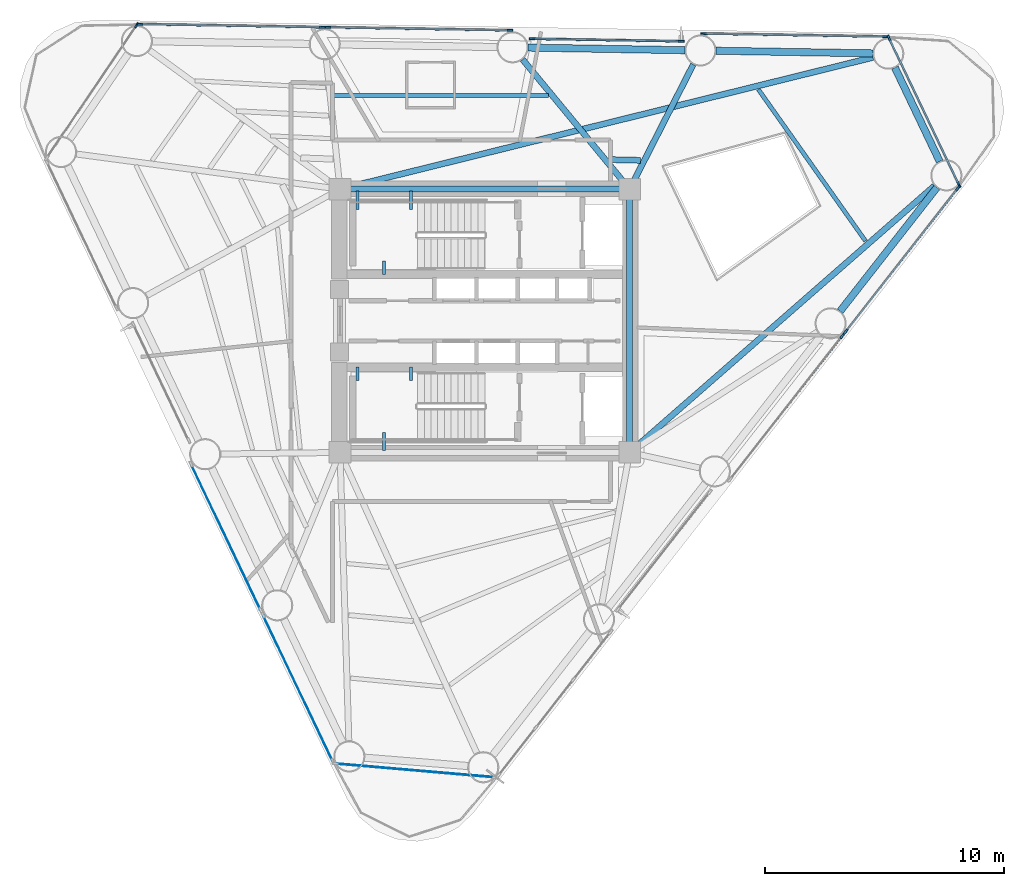
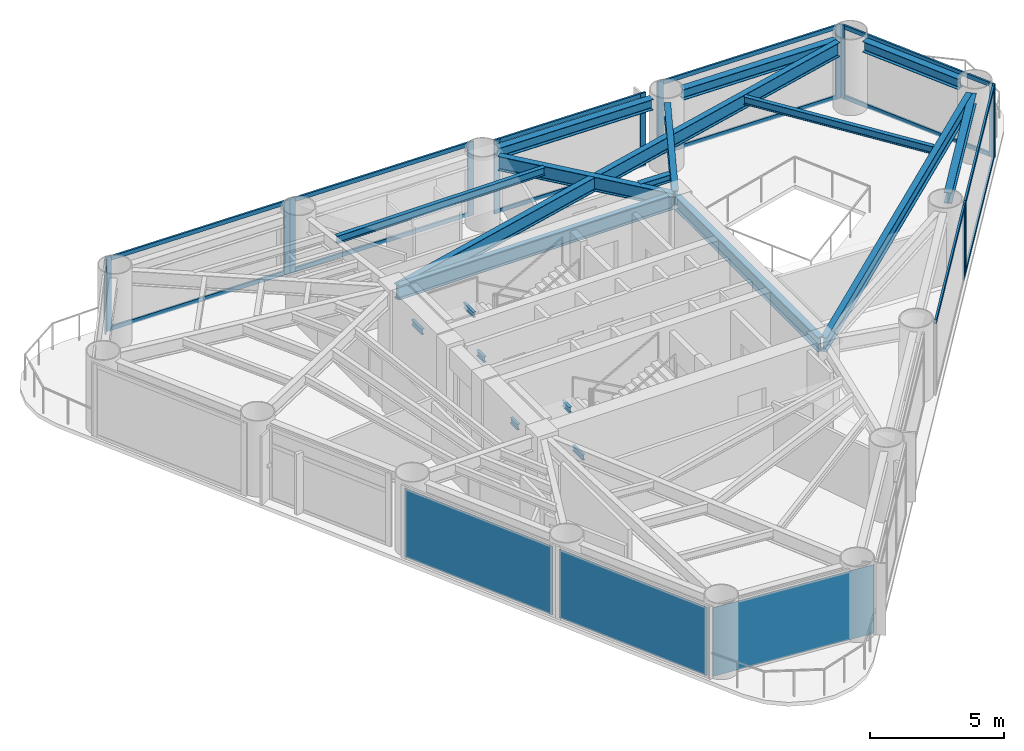
# One storey, part 4 of 10: 28 members, 19 beams, 3 plates, 11 elements without a shape of their own.
"""IFC4 building model written with IfcOpenShell, lengths in metres."""

from ifc_helpers import new_model, si_unit, direction, frame, origin, origin_2d, place, context, subcontext, project, spatial, rectangle, i_section, extrude, source, transform, mapped, material, layer, layer_set, material_profile, profile_set, type_object, element, aggregate, save


model = new_model("IFC4")

# Units and contexts
model_context = context("Model", 3, precision=1e-05, world=origin(), true_north=direction((0.0, 1.0)))
body_context = subcontext(model_context, "Body", "Model", "MODEL_VIEW")
ifc_project = project(units=[si_unit("LENGTHUNIT", "METRE"), si_unit("AREAUNIT", "SQUARE_METRE"), si_unit("VOLUMEUNIT", "CUBIC_METRE"), si_unit("PLANEANGLEUNIT", "RADIAN"), si_unit("MASSUNIT", "GRAM", prefix="KILO")], contexts=[model_context])

# Site, building, storey
site_placement = place(None, origin())
site = spatial("IfcSite", under=ifc_project, at=site_placement, CompositionType="ELEMENT")
building_placement = place(site_placement, origin())
building = spatial("IfcBuilding", under=site, at=building_placement, Name="Yunling Apex Tower", CompositionType="ELEMENT")
storey_placement = place(building_placement, frame((0.0, 0.0, 129.5)))
storey = spatial("IfcBuildingStorey", under=building, at=storey_placement, Name="L31", CompositionType="ELEMENT", Elevation=129.5)

# Beams
ifc_material_1 = material(Name="Steel Q355B", Category="steel")
ifc_material_profile_1 = material_profile(ifc_material_1, i_section(OverallWidth=0.125, OverallDepth=0.25, WebThickness=0.006103515625, FlangeThickness=0.009033203125, FilletRadius=0.011962890625, at=origin_2d()))
ifc_profile_set_1 = profile_set([ifc_material_profile_1], Name="Steel Q355B")
beam_type_1 = type_object("IfcBeamType", Name="BL-LNT-1", PredefinedType="LINTEL", material=ifc_profile_set_1)
shared_shape_1 = source(origin(), body_context, "Body", "SweptSolid", [
    extrude(i_section(OverallWidth=0.125, OverallDepth=0.25, WebThickness=0.006103515625, FlangeThickness=0.009033203125, FilletRadius=0.011962890625, at=origin_2d()), origin(), (0.0, 0.0, 1.0), 0.760009765625),
])
for number, where, z_axis, x_axis, name in (
    (1, (-5.320068359375, 5.419921875, 1.405029296875), (0.0, -1.0, 0.0), (1.0, 0.0, 0.0), "L31 ST-1 Landing Bearing Corbel 1-1"),
    (2, (-3.090087890625, 5.419921875, 1.405029296875), (0.0, -1.0, 0.0), (1.0, 0.0, 0.0), "L31 ST-1 Landing Bearing Corbel 1-2"),
    (3, (-4.205078125, -5.419921875, 1.405029296875), (0.0, 1.0, 0.0), (-1.0, 0.0, 0.0), "L31 ST-2 Landing Bearing Corbel 1-3"),
):
    element("IfcBeam", number, at=place(storey_placement, frame(where, z_axis=z_axis, x_axis=x_axis)), inside=storey, type_object=beam_type_1, Name=name, PredefinedType="LINTEL", context=body_context, shape_type="MappedRepresentation", body=[
        mapped(shared_shape_1, transform((0.0, 0.0, 0.0), scale=1.0)),
    ])
shared_shape_2 = source(origin(), body_context, "Body", "SweptSolid", [
    extrude(i_section(OverallWidth=0.125, OverallDepth=0.25, WebThickness=0.006103515625, FlangeThickness=0.009033203125, FilletRadius=0.011962890625, at=origin_2d()), origin(), (0.0, 0.0, 1.0), 0.550048828125),
])
for number, where, z_axis, x_axis, name in (
    (4, (-4.205078125, 1.93994140625, 1.405029296875), (0.0, 1.0, 0.0), (-1.0, 0.0, 0.0), "L31 ST-1 Landing Bearing Corbel 1-3"),
    (5, (-5.320068359375, -1.93994140625, 1.405029296875), (0.0, -1.0, 0.0), (1.0, 0.0, 0.0), "L31 ST-2 Landing Bearing Corbel 1-1"),
    (6, (-3.090087890625, -1.93994140625, 1.405029296875), (0.0, -1.0, 0.0), (1.0, 0.0, 0.0), "L31 ST-2 Landing Bearing Corbel 1-2"),
):
    element("IfcBeam", number, at=place(storey_placement, frame(where, z_axis=z_axis, x_axis=x_axis)), inside=storey, type_object=beam_type_1, Name=name, PredefinedType="LINTEL", context=body_context, shape_type="MappedRepresentation", body=[
        mapped(shared_shape_2, transform((0.0, 0.0, 0.0), scale=1.0)),
    ])
ifc_material_profile_2 = material_profile(ifc_material_1, i_section(OverallWidth=0.25, OverallDepth=0.64990234375, WebThickness=0.011962890625, FlangeThickness=0.02001953125, FilletRadius=0.02392578125, at=origin_2d()))
ifc_profile_set_2 = profile_set([ifc_material_profile_2], Name="Steel Q355B")
beam_type_2 = type_object("IfcBeamType", Name="BG-PRI-4", PredefinedType="USERDEFINED", material=ifc_profile_set_2)
shared_shape_3 = source(origin(), body_context, "Body", "SweptSolid", [
    extrude(i_section(OverallWidth=0.25, OverallDepth=0.64990234375, WebThickness=0.011962890625, FlangeThickness=0.02001953125, FilletRadius=0.02392578125, at=origin_2d()), origin(), (0.0, 0.0, 1.0), 11.7998046875),
])
beam_1_placement = place(storey_placement, frame((5.89990234375, 5.5, 2.945068359375), z_axis=(-1.0, 0.0, 0.0), x_axis=(0.0, -1.0, 0.0)))
element("IfcBeam", 7, at=beam_1_placement, inside=storey, type_object=beam_type_2, Name="L31 Core Ring Tie Beam 3", ObjectType="GIRDER", PredefinedType="USERDEFINED", context=body_context, shape_type="MappedRepresentation", body=[
    mapped(shared_shape_3, transform((0.0, 0.0, 0.0), scale=1.0)),
])
shared_shape_4 = source(origin(), body_context, "Body", "SweptSolid", [
    extrude(i_section(OverallWidth=0.25, OverallDepth=0.64990234375, WebThickness=0.011962890625, FlangeThickness=0.02001953125, FilletRadius=0.02392578125, at=origin_2d()), origin(), (0.0, 0.0, 1.0), 10.7001953125),
])
beam_2_placement = place(storey_placement, frame((6.050048828125, -5.35009765625, 2.945068359375), z_axis=(0.0, 1.0, 0.0), x_axis=(-1.0, 0.0, 0.0)))
element("IfcBeam", 8, at=beam_2_placement, inside=storey, type_object=beam_type_2, Name="L31 Core Ring Tie Beam 2", ObjectType="GIRDER", PredefinedType="USERDEFINED", context=body_context, shape_type="MappedRepresentation", body=[
    mapped(shared_shape_4, transform((0.0, 0.0, 0.0), scale=1.0)),
])
ifc_material_profile_3 = material_profile(ifc_material_1, i_section(OverallWidth=0.300048828125, OverallDepth=0.489990234375, WebThickness=0.010986328125, FlangeThickness=0.01806640625, FilletRadius=0.02197265625, at=origin_2d()))
ifc_profile_set_3 = profile_set([ifc_material_profile_3], Name="Steel Q355B")
beam_type_3 = type_object("IfcBeamType", Name="BP-SPN-2", PredefinedType="SPANDREL", material=ifc_profile_set_3)
shared_shape_5 = source(origin(), body_context, "Body", "SweptSolid", [
    extrude(i_section(OverallWidth=0.300048828125, OverallDepth=0.489990234375, WebThickness=0.010986328125, FlangeThickness=0.01806640625, FilletRadius=0.02197265625, at=origin_2d()), origin(), (0.0, 0.0, 1.0), 6.562255859375),
])
for number, where, z_axis, x_axis, name in (
    (9, (14.8447265625, 0.400390625, 3.02490234375), (0.616196907529, 0.787592135024, 0.0), (-0.787592135024, 0.616196907529, 0.0), "L31 Perimeter Spandrel Beam 4"),
    (10, (16.214599609375, 11.174560546875, 3.02490234375), (-0.999859845587, 0.016741839275, 0.0), (-0.016741839275, -0.999859845587, 0.0), "L31 Perimeter Spandrel Beam 6"),
):
    element("IfcBeam", number, at=place(storey_placement, frame(where, z_axis=z_axis, x_axis=x_axis)), inside=storey, type_object=beam_type_3, Name=name, PredefinedType="SPANDREL", context=body_context, shape_type="MappedRepresentation", body=[
        mapped(shared_shape_5, transform((0.0, 0.0, 0.0), scale=1.0)),
    ])
shared_shape_6 = source(origin(), body_context, "Body", "SweptSolid", [
    extrude(i_section(OverallWidth=0.300048828125, OverallDepth=0.489990234375, WebThickness=0.010986328125, FlangeThickness=0.01806640625, FilletRadius=0.02197265625, at=origin_2d()), origin(), (0.0, 0.0, 1.0), 6.56201171875),
])
beam_3_placement = place(storey_placement, frame((8.365478515625, 11.305908203125, 3.02490234375), z_axis=(-0.999859211643, 0.016779657083, 0.0), x_axis=(-0.016779657083, -0.999859211643, 0.0)))
element("IfcBeam", 11, at=beam_3_placement, inside=storey, type_object=beam_type_3, Name="L31 Perimeter Spandrel Beam 7", PredefinedType="SPANDREL", context=body_context, shape_type="MappedRepresentation", body=[
    mapped(shared_shape_6, transform((0.0, 0.0, 0.0), scale=1.0)),
])
shared_shape_7 = source(origin(), body_context, "Body", "SweptSolid", [
    extrude(i_section(OverallWidth=0.300048828125, OverallDepth=0.489990234375, WebThickness=0.010986328125, FlangeThickness=0.01806640625, FilletRadius=0.02197265625, at=origin_2d()), origin(), (0.0, 0.0, 1.0), 4.348876953125),
])
beam_4_placement = place(storey_placement, frame((19.0078125, 6.6572265625, 3.02490234375), z_axis=(-0.430473932145, 0.902603010046, 0.0), x_axis=(-0.902603010046, -0.430473932145, 0.0)))
element("IfcBeam", 12, at=beam_4_placement, inside=storey, type_object=beam_type_3, Name="L31 Perimeter Spandrel Beam 5", PredefinedType="SPANDREL", context=body_context, shape_type="MappedRepresentation", body=[
    mapped(shared_shape_7, transform((0.0, 0.0, 0.0), scale=1.0)),
])
shared_shape_8 = source(origin(), body_context, "Body", "SweptSolid", [
    extrude(i_section(OverallWidth=0.25, OverallDepth=0.64990234375, WebThickness=0.011962890625, FlangeThickness=0.02001953125, FilletRadius=0.02392578125, at=origin_2d()), origin(), (0.0, 0.0, 1.0), 16.84521484375),
])
beam_5_placement = place(storey_placement, frame((18.789794921875, 5.642822265625, 2.945068359375), z_axis=(-0.75271314446, -0.658348632684, 0.0), x_axis=(0.658348632684, -0.75271314446, 0.0)))
element("IfcBeam", 13, at=beam_5_placement, inside=storey, type_object=beam_type_2, Name="L31 Radial Primary Girder R05", ObjectType="GIRDER", PredefinedType="USERDEFINED", context=body_context, shape_type="MappedRepresentation", body=[
    mapped(shared_shape_8, transform((0.0, 0.0, 0.0), scale=1.0)),
])
shared_shape_9 = source(origin(), body_context, "Body", "SweptSolid", [
    extrude(i_section(OverallWidth=0.25, OverallDepth=0.64990234375, WebThickness=0.011962890625, FlangeThickness=0.02001953125, FilletRadius=0.02392578125, at=origin_2d()), origin(), (0.0, 0.0, 1.0), 22.860107421875),
])
beam_6_placement = place(storey_placement, frame((16.219482421875, 11.005859375, 2.945068359375), z_axis=(-0.970771198537, -0.240006833426, 0.0), x_axis=(0.240006833426, -0.970771198537, 0.0)))
element("IfcBeam", 14, at=beam_6_placement, inside=storey, type_object=beam_type_2, Name="L31 Radial Primary Girder R06", ObjectType="GIRDER", PredefinedType="USERDEFINED", context=body_context, shape_type="MappedRepresentation", body=[
    mapped(shared_shape_9, transform((0.0, 0.0, 0.0), scale=1.0)),
])
shared_shape_10 = source(origin(), body_context, "Body", "SweptSolid", [
    extrude(i_section(OverallWidth=0.25, OverallDepth=0.64990234375, WebThickness=0.011962890625, FlangeThickness=0.02001953125, FilletRadius=0.02392578125, at=origin_2d()), origin(), (0.0, 0.0, 1.0), 5.76904296875),
])
beam_7_placement = place(storey_placement, frame((8.710205078125, 10.709228515625, 2.945068359375), z_axis=(-0.454797867462, -0.890594688819, 0.0), x_axis=(0.890594688819, -0.454797867462, 0.0)))
element("IfcBeam", 15, at=beam_7_placement, inside=storey, type_object=beam_type_2, Name="L31 Radial Primary Girder R07", ObjectType="GIRDER", PredefinedType="USERDEFINED", context=body_context, shape_type="MappedRepresentation", body=[
    mapped(shared_shape_10, transform((0.0, 0.0, 0.0), scale=1.0)),
])
shared_shape_11 = source(origin(), body_context, "Body", "SweptSolid", [
    extrude(i_section(OverallWidth=0.25, OverallDepth=0.64990234375, WebThickness=0.011962890625, FlangeThickness=0.02001953125, FilletRadius=0.02392578125, at=origin_2d()), origin(), (0.0, 0.0, 1.0), 6.9453125),
])
beam_8_placement = place(storey_placement, frame((1.5791015625, 10.919189453125, 2.945068359375), z_axis=(0.636387137961, -0.771369827409, 0.0), x_axis=(0.771369827409, 0.636387137961, 0.0)))
element("IfcBeam", 16, at=beam_8_placement, inside=storey, type_object=beam_type_2, Name="L31 Radial Primary Girder R08", ObjectType="GIRDER", PredefinedType="USERDEFINED", context=body_context, shape_type="MappedRepresentation", body=[
    mapped(shared_shape_11, transform((0.0, 0.0, 0.0), scale=1.0)),
])
ifc_material_profile_4 = material_profile(ifc_material_1, i_section(OverallWidth=0.175048828125, OverallDepth=0.35009765625, WebThickness=0.007080078125, FlangeThickness=0.010986328125, FilletRadius=0.013916015625, at=origin_2d()))
ifc_profile_set_4 = profile_set([ifc_material_profile_4], Name="Steel Q355B")
beam_type_4 = type_object("IfcBeamType", Name="BJ-JST-1", PredefinedType="JOIST", material=ifc_profile_set_4)
shared_shape_12 = source(origin(), body_context, "Body", "SweptSolid", [
    extrude(i_section(OverallWidth=0.175048828125, OverallDepth=0.35009765625, WebThickness=0.007080078125, FlangeThickness=0.010986328125, FilletRadius=0.013916015625, at=origin_2d()), origin(), (0.0, 0.0, 1.0), 7.7578125),
])
beam_9_placement = place(storey_placement, frame((15.907958984375, 3.33349609375, 3.094970703125), z_axis=(-0.577260058065, 0.816560362351, 0.0), x_axis=(-0.816560362351, -0.577260058065, 0.0)))
element("IfcBeam", 17, at=beam_9_placement, inside=storey, type_object=beam_type_4, Name="L31 Composite Floor Joist BJ1-5", PredefinedType="JOIST", context=body_context, shape_type="MappedRepresentation", body=[
    mapped(shared_shape_12, transform((0.0, 0.0, 0.0), scale=1.0)),
])
ifc_material_profile_5 = material_profile(ifc_material_1, i_section(OverallWidth=0.25, OverallDepth=0.340087890625, WebThickness=0.009033203125, FlangeThickness=0.013916015625, FilletRadius=0.01806640625, at=origin_2d()))
ifc_profile_set_5 = profile_set([ifc_material_profile_5], Name="Steel Q355B")
beam_type_5 = type_object("IfcBeamType", Name="BJ-JST-2", PredefinedType="JOIST", material=ifc_profile_set_5)
shared_shape_13 = source(origin(), body_context, "Body", "SweptSolid", [
    extrude(i_section(OverallWidth=0.25, OverallDepth=0.340087890625, WebThickness=0.009033203125, FlangeThickness=0.013916015625, FilletRadius=0.01806640625, at=origin_2d()), origin(), (0.0, 0.0, 1.0), 1.3173828125),
])
beam_10_placement = place(storey_placement, frame((6.503662109375, 6.705322265625, 3.10009765625), z_axis=(-0.999718560735, 0.023723391875, 0.0), x_axis=(-0.023723391875, -0.999718560735, 0.0)))
element("IfcBeam", 18, at=beam_10_placement, inside=storey, type_object=beam_type_5, Name="L31 Composite Floor Joist BJ2-7", PredefinedType="JOIST", context=body_context, shape_type="MappedRepresentation", body=[
    mapped(shared_shape_13, transform((0.0, 0.0, 0.0), scale=1.0)),
])
shared_shape_14 = source(origin(), body_context, "Body", "SweptSolid", [
    extrude(i_section(OverallWidth=0.175048828125, OverallDepth=0.35009765625, WebThickness=0.007080078125, FlangeThickness=0.010986328125, FilletRadius=0.013916015625, at=origin_2d()), origin(), (0.0, 0.0, 1.0), 8.959228515625),
])
beam_11_placement = place(storey_placement, frame((2.65673828125, 9.4189453125, 3.094970703125), z_axis=(-0.99999980359, -0.000626754107, 0.0), x_axis=(0.000626754107, -0.99999980359, 0.0)))
element("IfcBeam", 19, at=beam_11_placement, inside=storey, type_object=beam_type_4, Name="L31 Composite Floor Joist BJ1-8", PredefinedType="JOIST", context=body_context, shape_type="MappedRepresentation", body=[
    mapped(shared_shape_14, transform((0.0, 0.0, 0.0), scale=1.0)),
])

# Curtain wall, member
ifc_material_2 = material(Name="Bronze anodised aluminium", Category="aluminium")
ifc_layer_1 = layer(ifc_material_2, 0.239990234375)
ifc_layer_set_1 = layer_set([ifc_layer_1], Name="Bronze anodised aluminium")
curtain_wall_type = type_object("IfcCurtainWallType", Name="CW-SYS-3", PredefinedType="NOTDEFINED", material=ifc_layer_set_1)
curtain_wall_1_placement = place(storey_placement, origin())
curtain_wall_1 = element("IfcCurtainWall", 20, at=curtain_wall_1_placement, inside=storey, type_object=curtain_wall_type, Name="CW-L31-F1-B3", PredefinedType="NOTDEFINED")
ifc_material_profile_6 = material_profile(ifc_material_2, rectangle(XDim=0.080078125, YDim=0.239990234375, at=origin_2d()))
ifc_profile_set_6 = profile_set([ifc_material_profile_6], Name="Bronze anodised aluminium")
member_type_1 = type_object("IfcMemberType", Name="CW-MUL-3", PredefinedType="MULLION", material=ifc_profile_set_6)
shared_shape_15 = source(origin(), body_context, "Body", "SweptSolid", [
    extrude(rectangle(XDim=0.080078125, YDim=0.239990234375, at=origin_2d()), origin(), (0.0, 0.0, 1.0), 3.3701171875),
])
member_1_placement = place(storey_placement, frame((14.93310546875, -0.638671875, -0.050048828125), z_axis=(0.0, 0.0, 1.0), x_axis=(-0.787583748686, 0.616207626377, 0.0)))
member_1 = element("IfcMember", 21, at=member_1_placement, type_object=member_type_1, Name="CW-SYS-3 mullion 2", PredefinedType="MULLION", context=body_context, shape_type="MappedRepresentation", body=[
    mapped(shared_shape_15, transform((0.0, 0.0, 0.0), scale=1.0)),
])

# Curtain wall, members
curtain_wall_2_placement = place(storey_placement, origin())
curtain_wall_2 = element("IfcCurtainWall", 22, at=curtain_wall_2_placement, inside=storey, type_object=curtain_wall_type, Name="CW-L31-F1-B4", PredefinedType="NOTDEFINED")
member_2_placement = place(storey_placement, frame((15.0810546875, -0.44970703125, -0.050048828125), z_axis=(0.0, 0.0, 1.0), x_axis=(-0.787583748686, 0.616207626377, 0.0)))
member_2 = element("IfcMember", 23, at=member_2_placement, type_object=member_type_1, Name="CW-SYS-3 mullion 1", PredefinedType="MULLION", context=body_context, shape_type="MappedRepresentation", body=[
    mapped(shared_shape_15, transform((0.0, 0.0, 0.0), scale=1.0)),
])
member_3_placement = place(storey_placement, frame((19.770263671875, 5.5439453125, -0.050048828125), z_axis=(0.0, 0.0, 1.0), x_axis=(-0.787583748686, 0.616207626377, 0.0)))
member_3 = element("IfcMember", 24, at=member_3_placement, type_object=member_type_1, Name="CW-SYS-3 mullion 2", PredefinedType="MULLION", context=body_context, shape_type="MappedRepresentation", body=[
    mapped(shared_shape_15, transform((0.0, 0.0, 0.0), scale=1.0)),
])

curtain_wall_3_placement = place(storey_placement, origin())
curtain_wall_3 = element("IfcCurtainWall", 25, at=curtain_wall_3_placement, inside=storey, type_object=curtain_wall_type, Name="CW-L31-CRN1", PredefinedType="NOTDEFINED")
member_4_placement = place(storey_placement, frame((19.811279296875, 5.68701171875, -0.050048828125), z_axis=(0.0, 0.0, 1.0), x_axis=(-0.902581673296, -0.430518667458, 0.0)))
member_4 = element("IfcMember", 26, at=member_4_placement, type_object=member_type_1, Name="CW-SYS-3 mullion 1", PredefinedType="MULLION", context=body_context, shape_type="MappedRepresentation", body=[
    mapped(shared_shape_15, transform((0.0, 0.0, 0.0), scale=1.0)),
])
member_5_placement = place(storey_placement, frame((16.88720703125, 11.8173828125, -0.050048828125), z_axis=(0.0, 0.0, 1.0), x_axis=(-0.902581673296, -0.430518667458, 0.0)))
member_5 = element("IfcMember", 27, at=member_5_placement, type_object=member_type_1, Name="CW-SYS-3 mullion 2", PredefinedType="MULLION", context=body_context, shape_type="MappedRepresentation", body=[
    mapped(shared_shape_15, transform((0.0, 0.0, 0.0), scale=1.0)),
])

curtain_wall_4_placement = place(storey_placement, origin())
curtain_wall_4 = element("IfcCurtainWall", 28, at=curtain_wall_4_placement, inside=storey, type_object=curtain_wall_type, Name="CW-L31-F2-B1", PredefinedType="NOTDEFINED")
member_6_placement = place(storey_placement, frame((16.75048828125, 11.87548828125, -0.050048828125), z_axis=(0.0, 0.0, 1.0), x_axis=(-0.016761635477, -0.99985951392, 0.0)))
member_6 = element("IfcMember", 29, at=member_6_placement, type_object=member_type_1, Name="CW-SYS-3 mullion 1", PredefinedType="MULLION", context=body_context, shape_type="MappedRepresentation", body=[
    mapped(shared_shape_15, transform((0.0, 0.0, 0.0), scale=1.0)),
])
member_7_placement = place(storey_placement, frame((9.141357421875, 12.003173828125, -0.050048828125), z_axis=(0.0, 0.0, 1.0), x_axis=(-0.016761635477, -0.99985951392, 0.0)))
member_7 = element("IfcMember", 30, at=member_7_placement, type_object=member_type_1, Name="CW-SYS-3 mullion 2", PredefinedType="MULLION", context=body_context, shape_type="MappedRepresentation", body=[
    mapped(shared_shape_15, transform((0.0, 0.0, 0.0), scale=1.0)),
])

curtain_wall_5_placement = place(storey_placement, origin())
curtain_wall_5 = element("IfcCurtainWall", 31, at=curtain_wall_5_placement, inside=storey, type_object=curtain_wall_type, Name="CW-L31-F2-B2", PredefinedType="NOTDEFINED")
member_8_placement = place(storey_placement, frame((8.205810546875, 11.6787109375, -0.050048828125), z_axis=(0.0, 0.0, 1.0), x_axis=(-0.016766539529, -0.999859431696, 0.0)))
member_8 = element("IfcMember", 32, at=member_8_placement, type_object=member_type_1, Name="CW-SYS-3 mullion 1", PredefinedType="MULLION", context=body_context, shape_type="MappedRepresentation", body=[
    mapped(shared_shape_15, transform((0.0, 0.0, 0.0), scale=1.0)),
])
member_9_placement = place(storey_placement, frame((1.9765625, 11.783203125, -0.050048828125), z_axis=(0.0, 0.0, 1.0), x_axis=(-0.016766539529, -0.999859431696, 0.0)))
member_9 = element("IfcMember", 33, at=member_9_placement, type_object=member_type_1, Name="CW-SYS-3 mullion 2", PredefinedType="MULLION", context=body_context, shape_type="MappedRepresentation", body=[
    mapped(shared_shape_15, transform((0.0, 0.0, 0.0), scale=1.0)),
])

curtain_wall_6_placement = place(storey_placement, origin())
curtain_wall_6 = element("IfcCurtainWall", 34, at=curtain_wall_6_placement, inside=storey, type_object=curtain_wall_type, Name="CW-L31-F2-B3", PredefinedType="NOTDEFINED")
member_10_placement = place(storey_placement, frame((1.052490234375, 12.138671875, -0.050048828125), z_axis=(0.0, 0.0, 1.0), x_axis=(-0.016761635477, -0.99985951392, 0.0)))
member_10 = element("IfcMember", 35, at=member_10_placement, type_object=member_type_1, Name="CW-SYS-3 mullion 1", PredefinedType="MULLION", context=body_context, shape_type="MappedRepresentation", body=[
    mapped(shared_shape_15, transform((0.0, 0.0, 0.0), scale=1.0)),
])
member_11_placement = place(storey_placement, frame((-6.556640625, 12.266357421875, -0.050048828125), z_axis=(0.0, 0.0, 1.0), x_axis=(-0.016761635477, -0.99985951392, 0.0)))
member_11 = element("IfcMember", 36, at=member_11_placement, type_object=member_type_1, Name="CW-SYS-3 mullion 2", PredefinedType="MULLION", context=body_context, shape_type="MappedRepresentation", body=[
    mapped(shared_shape_15, transform((0.0, 0.0, 0.0), scale=1.0)),
])

curtain_wall_7_placement = place(storey_placement, origin())
curtain_wall_7 = element("IfcCurtainWall", 37, at=curtain_wall_7_placement, inside=storey, type_object=curtain_wall_type, Name="CW-L31-F2-B4", PredefinedType="NOTDEFINED")
member_12_placement = place(storey_placement, frame((-6.796630859375, 12.270263671875, -0.050048828125), z_axis=(0.0, 0.0, 1.0), x_axis=(-0.016761635477, -0.99985951392, 0.0)))
member_12 = element("IfcMember", 38, at=member_12_placement, type_object=member_type_1, Name="CW-SYS-3 mullion 1", PredefinedType="MULLION", context=body_context, shape_type="MappedRepresentation", body=[
    mapped(shared_shape_15, transform((0.0, 0.0, 0.0), scale=1.0)),
])
member_13_placement = place(storey_placement, frame((-14.40576171875, 12.39794921875, -0.050048828125), z_axis=(0.0, 0.0, 1.0), x_axis=(-0.016761635477, -0.99985951392, 0.0)))
member_13 = element("IfcMember", 39, at=member_13_placement, type_object=member_type_1, Name="CW-SYS-3 mullion 2", PredefinedType="MULLION", context=body_context, shape_type="MappedRepresentation", body=[
    mapped(shared_shape_15, transform((0.0, 0.0, 0.0), scale=1.0)),
])

# Curtain wall, member
curtain_wall_8_placement = place(storey_placement, origin())
curtain_wall_8 = element("IfcCurtainWall", 40, at=curtain_wall_8_placement, inside=storey, type_object=curtain_wall_type, Name="CW-L31-CRN2", PredefinedType="NOTDEFINED")
member_14_placement = place(storey_placement, frame((-14.54833984375, 12.3466796875, -0.050048828125), z_axis=(0.0, 0.0, 1.0), x_axis=(0.82813882115, -0.560523052964, 0.0)))
member_14 = element("IfcMember", 41, at=member_14_placement, type_object=member_type_1, Name="CW-SYS-3 mullion 1", PredefinedType="MULLION", context=body_context, shape_type="MappedRepresentation", body=[
    mapped(shared_shape_15, transform((0.0, 0.0, 0.0), scale=1.0)),
])
aggregate(curtain_wall_8, [member_14])

# Member
ifc_material_profile_7 = material_profile(ifc_material_2, rectangle(XDim=0.080078125, YDim=0.18505859375, at=origin_2d()))
ifc_profile_set_7 = profile_set([ifc_material_profile_7], Name="Bronze anodised aluminium")
member_type_2 = type_object("IfcMemberType", Name="CW-TRN-3", PredefinedType="USERDEFINED", material=ifc_profile_set_7)
shared_shape_16 = source(origin(), body_context, "Body", "SweptSolid", [
    extrude(rectangle(XDim=0.080078125, YDim=0.18505859375, at=origin_2d()), origin(), (0.0, 0.0, 1.0), 7.5380859375),
])
member_15_placement = place(storey_placement, frame((10.265869140625, -6.603759765625, 3.22998046875), z_axis=(0.616213940974, 0.787578808088, 0.0), x_axis=(-0.787578808088, 0.616213940974, 0.0)))
member_15 = element("IfcMember", 42, at=member_15_placement, type_object=member_type_2, Name="CW-SYS-3 transom 1.2", ObjectType="TRANSOM", PredefinedType="USERDEFINED", context=body_context, shape_type="MappedRepresentation", body=[
    mapped(shared_shape_16, transform((0.0, 0.0, 0.0), scale=1.0)),
])

aggregate(curtain_wall_1, [member_1, member_15])

member_16_placement = place(storey_placement, frame((15.10302734375, -0.421142578125, 0.0400390625), z_axis=(0.616213940974, 0.787578808088, 0.0), x_axis=(-0.787578808088, 0.616213940974, 0.0)))
member_16 = element("IfcMember", 43, at=member_16_placement, type_object=member_type_2, Name="CW-SYS-3 transom 1.1", ObjectType="TRANSOM", PredefinedType="USERDEFINED", context=body_context, shape_type="MappedRepresentation", body=[
    mapped(shared_shape_16, transform((0.0, 0.0, 0.0), scale=1.0)),
])

member_17_placement = place(storey_placement, frame((15.10302734375, -0.421142578125, 3.22998046875), z_axis=(0.616213940974, 0.787578808088, 0.0), x_axis=(-0.787578808088, 0.616213940974, 0.0)))
member_17 = element("IfcMember", 44, at=member_17_placement, type_object=member_type_2, Name="CW-SYS-3 transom 1.2", ObjectType="TRANSOM", PredefinedType="USERDEFINED", context=body_context, shape_type="MappedRepresentation", body=[
    mapped(shared_shape_16, transform((0.0, 0.0, 0.0), scale=1.0)),
])

aggregate(curtain_wall_2, [member_2, member_3, member_16, member_17])

member_18_placement = place(storey_placement, frame((16.71435546875, 11.876220703125, 0.0400390625), z_axis=(-0.999859805743, 0.016744218696, 0.0), x_axis=(-0.016744218696, -0.999859805743, 0.0)))
member_18 = element("IfcMember", 45, at=member_18_placement, type_object=member_type_2, Name="CW-SYS-3 transom 1.1", ObjectType="TRANSOM", PredefinedType="USERDEFINED", context=body_context, shape_type="MappedRepresentation", body=[
    mapped(shared_shape_16, transform((0.0, 0.0, 0.0), scale=1.0)),
])

member_19_placement = place(storey_placement, frame((16.71435546875, 11.876220703125, 3.22998046875), z_axis=(-0.999859805743, 0.016744218696, 0.0), x_axis=(-0.016744218696, -0.999859805743, 0.0)))
member_19 = element("IfcMember", 46, at=member_19_placement, type_object=member_type_2, Name="CW-SYS-3 transom 1.2", ObjectType="TRANSOM", PredefinedType="USERDEFINED", context=body_context, shape_type="MappedRepresentation", body=[
    mapped(shared_shape_16, transform((0.0, 0.0, 0.0), scale=1.0)),
])

aggregate(curtain_wall_4, [member_6, member_7, member_18, member_19])

member_20_placement = place(storey_placement, frame((1.016357421875, 12.139404296875, 0.0400390625), z_axis=(-0.999859805743, 0.016744218696, 0.0), x_axis=(-0.016744218696, -0.999859805743, 0.0)))
member_20 = element("IfcMember", 47, at=member_20_placement, type_object=member_type_2, Name="CW-SYS-3 transom 1.1", ObjectType="TRANSOM", PredefinedType="USERDEFINED", context=body_context, shape_type="MappedRepresentation", body=[
    mapped(shared_shape_16, transform((0.0, 0.0, 0.0), scale=1.0)),
])

member_21_placement = place(storey_placement, frame((1.016357421875, 12.139404296875, 3.22998046875), z_axis=(-0.999859805743, 0.016744218696, 0.0), x_axis=(-0.016744218696, -0.999859805743, 0.0)))
member_21 = element("IfcMember", 48, at=member_21_placement, type_object=member_type_2, Name="CW-SYS-3 transom 1.2", ObjectType="TRANSOM", PredefinedType="USERDEFINED", context=body_context, shape_type="MappedRepresentation", body=[
    mapped(shared_shape_16, transform((0.0, 0.0, 0.0), scale=1.0)),
])

aggregate(curtain_wall_6, [member_10, member_11, member_20, member_21])

member_22_placement = place(storey_placement, frame((-6.83251953125, 12.27099609375, 0.0400390625), z_axis=(-0.999859805743, 0.016744218696, 0.0), x_axis=(-0.016744218696, -0.999859805743, 0.0)))
member_22 = element("IfcMember", 49, at=member_22_placement, type_object=member_type_2, Name="CW-SYS-3 transom 1.1", ObjectType="TRANSOM", PredefinedType="USERDEFINED", context=body_context, shape_type="MappedRepresentation", body=[
    mapped(shared_shape_16, transform((0.0, 0.0, 0.0), scale=1.0)),
])

member_23_placement = place(storey_placement, frame((-6.83251953125, 12.27099609375, 3.22998046875), z_axis=(-0.999859805743, 0.016744218696, 0.0), x_axis=(-0.016744218696, -0.999859805743, 0.0)))
member_23 = element("IfcMember", 50, at=member_23_placement, type_object=member_type_2, Name="CW-SYS-3 transom 1.2", ObjectType="TRANSOM", PredefinedType="USERDEFINED", context=body_context, shape_type="MappedRepresentation", body=[
    mapped(shared_shape_16, transform((0.0, 0.0, 0.0), scale=1.0)),
])

aggregate(curtain_wall_7, [member_12, member_13, member_22, member_23])

shared_shape_17 = source(origin(), body_context, "Body", "SweptSolid", [
    extrude(rectangle(XDim=0.080078125, YDim=0.18505859375, at=origin_2d()), origin(), (0.0, 0.0, 1.0), 6.719970703125),
])
member_24_placement = place(storey_placement, frame((19.7958984375, 5.719482421875, 0.0400390625), z_axis=(-0.430511684766, 0.902585003908, 0.0), x_axis=(-0.902585003908, -0.430511684766, 0.0)))
member_24 = element("IfcMember", 51, at=member_24_placement, type_object=member_type_2, Name="CW-SYS-3 transom 1.1", ObjectType="TRANSOM", PredefinedType="USERDEFINED", context=body_context, shape_type="MappedRepresentation", body=[
    mapped(shared_shape_17, transform((0.0, 0.0, 0.0), scale=1.0)),
])

member_25_placement = place(storey_placement, frame((19.7958984375, 5.719482421875, 3.22998046875), z_axis=(-0.430511684766, 0.902585003908, 0.0), x_axis=(-0.902585003908, -0.430511684766, 0.0)))
member_25 = element("IfcMember", 52, at=member_25_placement, type_object=member_type_2, Name="CW-SYS-3 transom 1.2", ObjectType="TRANSOM", PredefinedType="USERDEFINED", context=body_context, shape_type="MappedRepresentation", body=[
    mapped(shared_shape_17, transform((0.0, 0.0, 0.0), scale=1.0)),
])

aggregate(curtain_wall_3, [member_4, member_5, member_24, member_25])

shared_shape_18 = source(origin(), body_context, "Body", "SweptSolid", [
    extrude(rectangle(XDim=0.080078125, YDim=0.18505859375, at=origin_2d()), origin(), (0.0, 0.0, 1.0), 6.158447265625),
])
member_26_placement = place(storey_placement, frame((8.169921875, 11.679443359375, 0.0400390625), z_axis=(-0.99985938407, 0.016769379464, 0.0), x_axis=(-0.016769379464, -0.99985938407, 0.0)))
member_26 = element("IfcMember", 53, at=member_26_placement, type_object=member_type_2, Name="CW-SYS-3 transom 1.1", ObjectType="TRANSOM", PredefinedType="USERDEFINED", context=body_context, shape_type="MappedRepresentation", body=[
    mapped(shared_shape_18, transform((0.0, 0.0, 0.0), scale=1.0)),
])

member_27_placement = place(storey_placement, frame((8.169921875, 11.679443359375, 2.485107421875), z_axis=(-0.99985938407, 0.016769379464, 0.0), x_axis=(-0.016769379464, -0.99985938407, 0.0)))
member_27 = element("IfcMember", 54, at=member_27_placement, type_object=member_type_2, Name="CW-SYS-3 transom 1.2", ObjectType="TRANSOM", PredefinedType="USERDEFINED", context=body_context, shape_type="MappedRepresentation", body=[
    mapped(shared_shape_18, transform((0.0, 0.0, 0.0), scale=1.0)),
])

member_28_placement = place(storey_placement, frame((8.169921875, 11.679443359375, 3.22998046875), z_axis=(-0.99985938407, 0.016769379464, 0.0), x_axis=(-0.016769379464, -0.99985938407, 0.0)))
member_28 = element("IfcMember", 55, at=member_28_placement, type_object=member_type_2, Name="CW-SYS-3 transom 1.3", ObjectType="TRANSOM", PredefinedType="USERDEFINED", context=body_context, shape_type="MappedRepresentation", body=[
    mapped(shared_shape_18, transform((0.0, 0.0, 0.0), scale=1.0)),
])

aggregate(curtain_wall_5, [member_8, member_9, member_26, member_27, member_28])

# Curtain wall, plate
curtain_wall_9_placement = place(storey_placement, origin())
curtain_wall_9 = element("IfcCurtainWall", 56, at=curtain_wall_9_placement, inside=storey, type_object=curtain_wall_type, Name="CW-L31-F3-B3", PredefinedType="NOTDEFINED")
ifc_material_3 = material(Name="Bronze tinted low-E glass", Category="glass")
ifc_layer_2 = layer(ifc_material_3, 0.031982421875)
ifc_layer_set_2 = layer_set([ifc_layer_2], Name="Bronze tinted low-E glass")
plate_type = type_object("IfcPlateType", Name="CW-PNL-3", PredefinedType="CURTAIN_PANEL", material=ifc_layer_set_2)
shared_shape_19 = source(origin(), body_context, "Body", "SweptSolid", [
    extrude(rectangle(XDim=6.691650390625, YDim=0.031982421875, at=origin_2d()), origin(), (0.0, 0.0, 1.0), 3.1259765625),
])
plate_1_placement = place(storey_placement, frame((-10.820068359375, -9.036376953125, 0.072021484375), z_axis=(0.0, 0.0, 1.0), x_axis=(0.430493977743, -0.902593449526, 0.0)))
plate_1 = element("IfcPlate", 57, at=plate_1_placement, type_object=plate_type, Name="CW-SYS-3 panel 1.1", PredefinedType="CURTAIN_PANEL", context=body_context, shape_type="MappedRepresentation", body=[
    mapped(shared_shape_19, transform((0.0, 0.0, 0.0), scale=1.0)),
])
aggregate(curtain_wall_9, [plate_1])

curtain_wall_10_placement = place(storey_placement, origin())
curtain_wall_10 = element("IfcCurtainWall", 58, at=curtain_wall_10_placement, inside=storey, type_object=curtain_wall_type, Name="CW-L31-F3-B4", PredefinedType="NOTDEFINED")
plate_2_placement = place(storey_placement, frame((-7.80859375, -15.350341796875, 0.072021484375), z_axis=(0.0, 0.0, 1.0), x_axis=(0.430511580192, -0.902585053788, 0.0)))
plate_2 = element("IfcPlate", 59, at=plate_2_placement, type_object=plate_type, Name="CW-SYS-3 panel 1.1", PredefinedType="CURTAIN_PANEL", context=body_context, shape_type="MappedRepresentation", body=[
    mapped(shared_shape_19, transform((0.0, 0.0, 0.0), scale=1.0)),
])
aggregate(curtain_wall_10, [plate_2])

curtain_wall_11_placement = place(storey_placement, origin())
curtain_wall_11 = element("IfcCurtainWall", 60, at=curtain_wall_11_placement, inside=storey, type_object=curtain_wall_type, Name="CW-L31-CRN3", PredefinedType="NOTDEFINED")
shared_shape_20 = source(origin(), body_context, "Body", "SweptSolid", [
    extrude(rectangle(XDim=6.64501953125, YDim=0.031982421875, at=origin_2d()), origin(), (0.0, 0.0, 1.0), 3.1259765625),
])
plate_3_placement = place(storey_placement, frame((-2.902587890625, -18.789306640625, 0.072021484375), z_axis=(0.0, 0.0, 1.0), x_axis=(0.996333853808, -0.085550287883, 0.0)))
plate_3 = element("IfcPlate", 61, at=plate_3_placement, type_object=plate_type, Name="CW-SYS-3 panel 1.1", PredefinedType="CURTAIN_PANEL", context=body_context, shape_type="MappedRepresentation", body=[
    mapped(shared_shape_20, transform((0.0, 0.0, 0.0), scale=1.0)),
])
aggregate(curtain_wall_11, [plate_3])

save(model, "model.ifc")
